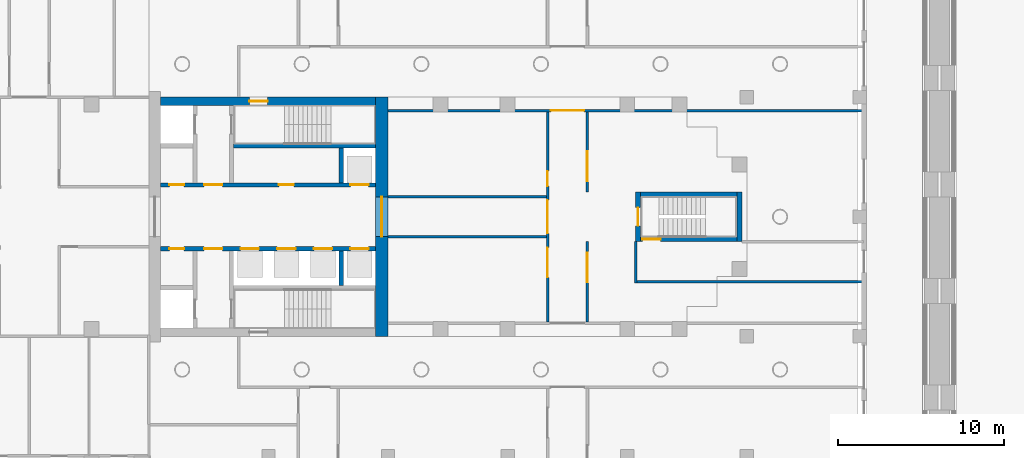
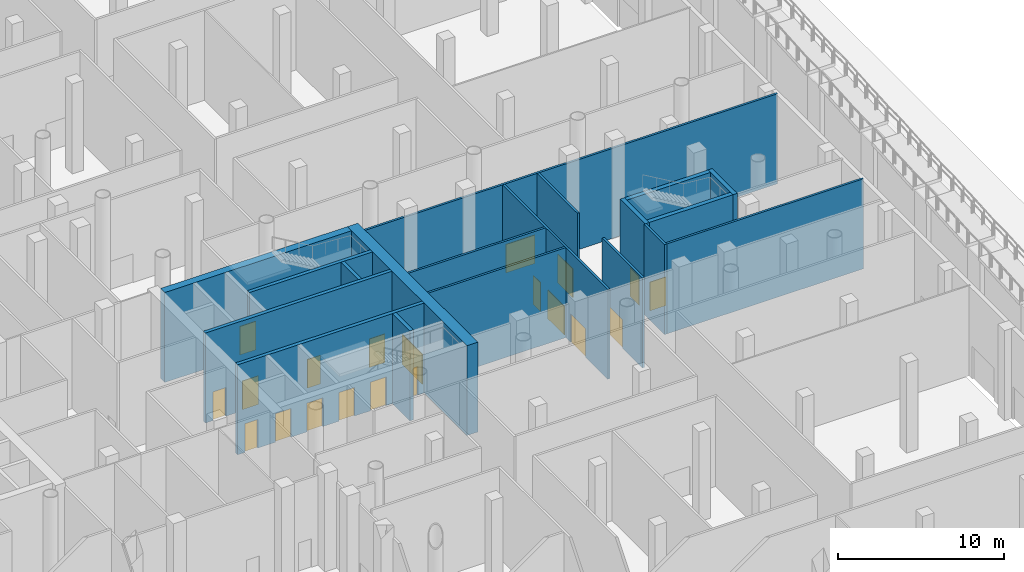
# One storey, part 27 of 44: 20 doors, 19 walls, 20 openings.
"""IFC4 building model written with IfcOpenShell, lengths in metres."""

import ifcopenshell
import ifcopenshell.guid

model = None  # the IFC model being written
_history = None  # IfcOwnerHistory: only IFC2X3 demands one
_inside = {}  # id of a spatial element -> (the spatial element, [elements in it])
_under = {}  # id of a project, library or spatial element -> (it, [spatial elements below it])
_declared = {}  # id of a project -> (the project, [libraries it declares])
_typed = {}  # id of a type object -> (the type object, [elements of that type])
_made_of = {}  # id of a material, layer set ... -> (it, [elements and type objects made of it])


def new_model(schema):
    """Start an empty IFC model of exactly this schema.

    Asked for "IFC4X3", IfcOpenShell would pick the latest addendum, in which some entities
    have other attributes; the version numbers below select the first issue.
    IFC2X3 requires an IfcOwnerHistory on every rooted entity: one is made here for all.
    """
    global model, _history
    if schema == "IFC4X3":
        model = ifcopenshell.file(schema_version=(4, 3, 0, 0))
    else:
        model = ifcopenshell.file(schema=schema)
    _inside.clear()
    _under.clear()
    _declared.clear()
    _typed.clear()
    _made_of.clear()
    _history = None
    if model.schema == "IFC2X3":
        org = make("IfcOrganization", Name="unknown")
        user = make(
            "IfcPersonAndOrganization",
            ThePerson=make("IfcPerson", FamilyName="unknown"),
            TheOrganization=org,
        )
        app = make(
            "IfcApplication",
            ApplicationDeveloper=org,
            Version="unknown",
            ApplicationFullName="unknown",
            ApplicationIdentifier="unknown",
        )
        _history = make(
            "IfcOwnerHistory",
            OwningUser=user,
            OwningApplication=app,
            ChangeAction="ADDED",
            CreationDate=0,
        )
    return model


def make(cls, **values):
    """One entity of the class cls with the attributes given. An attribute that is None is left unset."""
    return model.create_entity(
        cls, **{name: value for name, value in values.items() if value is not None}
    )


def rooted(cls, **values):
    """An entity with a GlobalId (a new one), such as an element, a storey or a relation."""
    return make(cls, GlobalId=ifcopenshell.guid.new(), OwnerHistory=_history, **values)


def si_unit(unit_type, name, prefix=None):
    """IfcSIUnit, for example si_unit("LENGTHUNIT", "METRE", prefix="MILLI")."""
    return make("IfcSIUnit", UnitType=unit_type, Prefix=prefix, Name=name)


def assignment(units):
    """IfcUnitAssignment: the units of a project."""
    return None if units is None else make("IfcUnitAssignment", Units=units)


def point(xyz):
    """IfcCartesianPoint."""
    return None if xyz is None else make("IfcCartesianPoint", Coordinates=xyz)


def direction(xyz):
    """IfcDirection."""
    return None if xyz is None else make("IfcDirection", DirectionRatios=xyz)


def frame(location, z_axis=None, x_axis=None):
    """IfcAxis2Placement3D, a coordinate frame: its origin and axes. An axis left out is left unset."""
    return make(
        "IfcAxis2Placement3D",
        Location=point(location),
        Axis=direction(z_axis),
        RefDirection=direction(x_axis),
    )


def frame_2d(location, x_axis=None):
    """IfcAxis2Placement2D, a coordinate frame in the plane: its origin and x axis."""
    return make(
        "IfcAxis2Placement2D", Location=point(location), RefDirection=direction(x_axis)
    )


def origin():
    """The frame at (0, 0, 0) with its axes left unset."""
    return frame((0.0, 0.0, 0.0))


def place(relative_to, where):
    """IfcLocalPlacement: puts the frame where relative to a parent placement (None: the world)."""
    return make(
        "IfcLocalPlacement", PlacementRelTo=relative_to, RelativePlacement=where
    )


def context(
    kind, dimensions, precision=None, world=None, true_north=None, identifier=None
):
    """IfcGeometricRepresentationContext, for example the 3D "Model" context."""
    return make(
        "IfcGeometricRepresentationContext",
        ContextIdentifier=identifier,
        ContextType=kind,
        CoordinateSpaceDimension=dimensions,
        Precision=precision,
        WorldCoordinateSystem=world,
        TrueNorth=true_north,
    )


def subcontext(parent, identifier, kind, view, scale=None):
    """IfcGeometricRepresentationSubContext, for example "Body" below "Model"."""
    return make(
        "IfcGeometricRepresentationSubContext",
        ContextIdentifier=identifier,
        ContextType=kind,
        ParentContext=parent,
        TargetScale=scale,
        TargetView=view,
    )


def project(units=None, contexts=None):
    """IfcProject with its units and contexts."""
    return rooted(
        "IfcProject",
        Name="project",
        RepresentationContexts=contexts,
        UnitsInContext=assignment(units),
    )


def spatial(cls, under=None, at=None, **own):
    """A site, building, storey or space (cls), placed at a placement, below another one or the project."""
    s = rooted(cls, ObjectPlacement=at, **own)
    if under is not None:
        _under.setdefault(under.id(), (under, []))[1].append(s)
    return s


def profile(cls, at=None, kind="AREA", **sizes):
    """A parametric profile (cls). Its sizes go by their IFC names, for example OverallWidth=200.0."""
    return make(cls, ProfileType=kind, Position=at, **sizes)


def rectangle(**sizes):
    """IfcRectangleProfileDef."""
    return profile("IfcRectangleProfileDef", **sizes)


def extrude(swept, where, along, depth):
    """IfcExtrudedAreaSolid: the profile swept, set in the frame where, extruded along a direction by depth."""
    return make(
        "IfcExtrudedAreaSolid",
        SweptArea=swept,
        Position=where,
        ExtrudedDirection=direction(along),
        Depth=depth,
    )


def shape(context_of_items, identifier, shape_type, items):
    """IfcShapeRepresentation: the items that make up one representation, for example the "Body"."""
    return make(
        "IfcShapeRepresentation",
        ContextOfItems=context_of_items,
        RepresentationIdentifier=identifier,
        RepresentationType=shape_type,
        Items=items,
    )


def material(Name=None, Category=None):
    """IfcMaterial."""
    return make("IfcMaterial", Name=Name, Category=Category)


def layer(
    of_material, thickness, ventilated=None, Name=None, Category=None, Priority=None
):
    """IfcMaterialLayer: one layer of a wall or slab, of a material (None: an air gap)."""
    return make(
        "IfcMaterialLayer",
        Material=of_material,
        LayerThickness=thickness,
        IsVentilated=ventilated,
        Name=Name,
        Category=Category,
        Priority=Priority,
    )


def layer_set(layers, Name=None):
    """IfcMaterialLayerSet."""
    return make("IfcMaterialLayerSet", MaterialLayers=layers, LayerSetName=Name)


def made_of(thing, what):
    """Note that an element or type object is made of a material, layer set ...; save() writes the relation."""
    if what is not None:
        _made_of.setdefault(what.id(), (what, []))[1].append(thing)
    return thing


def type_object(cls, material=None, **own):
    """A type object (cls), such as IfcWallType, which elements share."""
    return made_of(rooted(cls, **own), material)


def element(
    cls,
    number,
    at=None,
    inside=None,
    cuts=None,
    type_object=None,
    material=None,
    context=None,
    identifier="Body",
    shape_type=None,
    held_by="IfcProductDefinitionShape",
    body=None,
    shapes=None,
    **own,
):
    """One element of the class cls, such as IfcWall. Its Tag is "e" and its number.

    at: its placement. inside: the storey or other place that contains it. cuts: it is an
    opening in that element (IfcRelVoidsElement). A single representation is given by context,
    identifier, shape_type and body (its items); several are given by shapes. held_by: the class
    of the entity that holds the representations. save() writes the other relations.
    """
    e = rooted(cls, Tag="e%d" % number, ObjectPlacement=at, **own)
    if body is not None:
        shapes = [shape(context, identifier, shape_type, body)]
    if shapes is not None:
        e.Representation = make(held_by, Representations=shapes)
    if inside is not None:
        _inside.setdefault(inside.id(), (inside, []))[1].append(e)
    if cuts is not None:
        rooted(
            "IfcRelVoidsElement", RelatingBuildingElement=cuts, RelatedOpeningElement=e
        )
    if type_object is not None:
        _typed.setdefault(type_object.id(), (type_object, []))[1].append(e)
    return made_of(e, material)


def fill(opening, filler):
    """IfcRelFillsElement: the door or window that sits in an opening."""
    return rooted(
        "IfcRelFillsElement",
        RelatingOpeningElement=opening,
        RelatedBuildingElement=filler,
    )


def aggregate(whole, parts):
    """IfcRelAggregates: a whole, such as a stair, and the parts it consists of."""
    return rooted("IfcRelAggregates", RelatingObject=whole, RelatedObjects=parts)


def save(model, path):
    """Write the relations noted so far, then the file.

    IfcRelAggregates (storeys below a building ...), IfcRelContainedInSpatialStructure (elements
    in a storey), IfcRelDefinesByType, IfcRelAssociatesMaterial and IfcRelDeclares: one each for
    every whole, place, type object, material and project.
    """
    for whole, parts in _under.values():
        aggregate(whole, parts)
    for where, things in _inside.values():
        rooted(
            "IfcRelContainedInSpatialStructure",
            RelatedElements=things,
            RelatingStructure=where,
        )
    for kind, things in _typed.values():
        rooted("IfcRelDefinesByType", RelatedObjects=things, RelatingType=kind)
    for what, things in _made_of.values():
        rooted("IfcRelAssociatesMaterial", RelatedObjects=things, RelatingMaterial=what)
    for by, libraries in _declared.values():
        rooted("IfcRelDeclares", RelatingContext=by, RelatedDefinitions=libraries)
    model.write(path)


model = new_model("IFC4")

# Units and contexts
model_context = context("Model", 3, precision=1e-05, world=origin(), true_north=direction((0.0, 1.0)))
body_context = subcontext(model_context, "Body", "Model", "MODEL_VIEW")
ifc_project = project(units=[si_unit("LENGTHUNIT", "METRE"), si_unit("AREAUNIT", "SQUARE_METRE"), si_unit("VOLUMEUNIT", "CUBIC_METRE"), si_unit("PLANEANGLEUNIT", "RADIAN"), si_unit("MASSUNIT", "GRAM", prefix="KILO")], contexts=[model_context])

# Site, building, storey
site_placement = place(None, origin())
site = spatial("IfcSite", under=ifc_project, at=site_placement, CompositionType="ELEMENT")
building_placement = place(site_placement, origin())
building = spatial("IfcBuilding", under=site, at=building_placement, Name="Fustian Cross Tower", CompositionType="ELEMENT")
storey_placement = place(building_placement, origin())
storey = spatial("IfcBuildingStorey", under=building, at=storey_placement, Name="L00", CompositionType="ELEMENT", Elevation=0.0)

# Walls
ifc_material_1 = material(Name="Plasterboard on steel stud", Category="steel")
ifc_layer_1 = layer(ifc_material_1, 0.14990234375)
ifc_layer_set_1 = layer_set([ifc_layer_1], Name="Plasterboard on steel stud")
wall_type_1 = type_object("IfcWallType", Name="COMPARTMENT WALL 150 EI 60", PredefinedType="PARTITIONING", material=ifc_layer_set_1)
for number, where, z_axis, x_axis, name in (
    (1, (21.60009765625, -1.199951171875, 0.0), (0.0, 0.0, 1.0), (1.0, 0.0, 0.0), "Partition 128"),
    (2, (21.60009765625, 1.199951171875, 0.0), (0.0, 0.0, 1.0), (1.0, 0.0, 0.0), "Partition 129"),
):
    element("IfcWall", number, at=place(storey_placement, frame(where, z_axis=z_axis, x_axis=x_axis)), inside=storey, type_object=wall_type_1, Name=name, PredefinedType="PARTITIONING", context=body_context, shape_type="SweptSolid", body=[
        extrude(rectangle(XDim=9.52490234375, YDim=0.14990234375, at=frame_2d((4.762451171875, 0.0))), origin(), (0.0, 0.0, 1.0), 6.60009765625),
    ])

# Wall, opening, door
wall_1_placement = place(storey_placement, frame((21.60009765625, 6.39990234375, 0.0), z_axis=(0.0, 0.0, 1.0), x_axis=(1.0, 0.0, 0.0)))
wall_1 = element("IfcWall", 3, at=wall_1_placement, inside=storey, type_object=wall_type_1, Name="Partition 130", PredefinedType="PARTITIONING", context=body_context, shape_type="SweptSolid", body=[
    extrude(rectangle(XDim=28.619873046875, YDim=0.14990234375, at=frame_2d((14.31005859375, 0.0))), origin(), (0.0, 0.0, 1.0), 6.60009765625),
])
opening_1_placement = place(wall_1_placement, frame((9.800048828125, 0.0, 0.0)))
opening_1 = element("IfcOpeningElement", 4, at=opening_1_placement, cuts=wall_1, Name="Opening D02015", PredefinedType="OPENING", context=body_context, shape_type="SweptSolid", body=[
    extrude(rectangle(XDim=2.0, YDim=2.10009765625, at=frame_2d((1.0, 1.050048828125))), frame((0.0, 0.0849609375, 0.0), z_axis=(0.0, -1.0, 0.0), x_axis=(1.0, 0.0, 0.0)), (0.0, 0.0, 1.0), 0.169921875),
])
ifc_material_2 = material(Name="Timber fire door set", Category="wood")
door_type_1 = type_object("IfcDoorType", Name="FIRE DOUBLE DOOR 2000 FD30S", OperationType="DOUBLE_DOOR_DOUBLE_SWING", PredefinedType="DOOR", material=ifc_material_2)
door_1_placement = place(opening_1_placement, frame((2.0, 0.0, 0.0), z_axis=(0.0, 0.0, 1.0), x_axis=(-1.0, 0.0, 0.0)))
door_1 = element("IfcDoor", 5, at=door_1_placement, inside=storey, type_object=door_type_1, Name="Door D02015", OperationType="DOUBLE_DOOR_DOUBLE_SWING", OverallHeight=2.10009765625, OverallWidth=2.0, PredefinedType="DOOR", context=body_context, shape_type="SweptSolid", body=[
    extrude(rectangle(XDim=2.0, YDim=2.10009765625, at=frame_2d((1.0, 1.050048828125))), frame((0.0, 0.02490234375, 0.0), z_axis=(0.0, -1.0, 0.0), x_axis=(1.0, 0.0, 0.0)), (0.0, 0.0, 1.0), 0.050048828125),
])
fill(opening_1, door_1)

# Wall, openings, doors
wall_2_placement = place(storey_placement, frame((31.199951171875, -6.324951171875, 0.0), z_axis=(0.0, 0.0, 1.0), x_axis=(0.0, 1.0, 0.0)))
wall_2 = element("IfcWall", 6, at=wall_2_placement, inside=storey, type_object=wall_type_1, Name="Partition 136", PredefinedType="PARTITIONING", context=body_context, shape_type="SweptSolid", body=[
    extrude(rectangle(XDim=12.64990234375, YDim=0.14990234375, at=frame_2d((6.324951171875, 0.0))), origin(), (0.0, 0.0, 1.0), 6.60009765625),
])
opening_2_placement = place(wall_2_placement, frame((5.324951171875, 0.0, 0.0)))
opening_2 = element("IfcOpeningElement", 7, at=opening_2_placement, cuts=wall_2, Name="Opening D02033", PredefinedType="OPENING", context=body_context, shape_type="SweptSolid", body=[
    extrude(rectangle(XDim=2.0, YDim=2.10009765625, at=frame_2d((1.0, 1.050048828125))), frame((0.0, 0.0849609375, 0.0), z_axis=(0.0, -1.0, 0.0), x_axis=(1.0, 0.0, 0.0)), (0.0, 0.0, 1.0), 0.169921875),
])
opening_3_placement = place(wall_2_placement, frame((8.175048828125, 0.0, 0.0)))
opening_3 = element("IfcOpeningElement", 8, at=opening_3_placement, cuts=wall_2, Name="Opening D02039", PredefinedType="OPENING", context=body_context, shape_type="SweptSolid", body=[
    extrude(rectangle(XDim=0.89990234375, YDim=2.10009765625, at=frame_2d((0.449951171875, 1.050048828125))), frame((0.0, 0.0849609375, 0.0), z_axis=(0.0, -1.0, 0.0), x_axis=(1.0, 0.0, 0.0)), (0.0, 0.0, 1.0), 0.169921875),
])
opening_4_placement = place(wall_2_placement, frame((2.675048828125, 0.0, 0.0)))
opening_4 = element("IfcOpeningElement", 9, at=opening_4_placement, cuts=wall_2, Name="Opening D02121", PredefinedType="OPENING", context=body_context, shape_type="SweptSolid", body=[
    extrude(rectangle(XDim=1.800048828125, YDim=2.10009765625, at=frame_2d((0.89990234375, 1.050048828125))), frame((0.0, 0.0849609375, 0.0), z_axis=(0.0, -1.0, 0.0), x_axis=(1.0, 0.0, 0.0)), (0.0, 0.0, 1.0), 0.169921875),
])
ifc_material_3 = material(Name="Timber fire door set", Category="wood")
door_type_2 = type_object("IfcDoorType", Name="FIRE DOUBLE DOOR 1800 FD30S", OperationType="DOUBLE_DOOR_DOUBLE_SWING", PredefinedType="DOOR", material=ifc_material_3)
door_2_placement = place(opening_4_placement, frame((1.800048828125, 0.0, 0.0), z_axis=(0.0, 0.0, 1.0), x_axis=(-1.0, 0.0, 0.0)))
door_2 = element("IfcDoor", 10, at=door_2_placement, inside=storey, type_object=door_type_2, Name="Door D02121", OperationType="DOUBLE_DOOR_DOUBLE_SWING", OverallHeight=2.10009765625, OverallWidth=1.800048828125, PredefinedType="DOOR", context=body_context, shape_type="SweptSolid", body=[
    extrude(rectangle(XDim=1.800048828125, YDim=2.10009765625, at=frame_2d((0.89990234375, 1.050048828125))), frame((0.0, 0.02490234375, 0.0), z_axis=(0.0, -1.0, 0.0), x_axis=(1.0, 0.0, 0.0)), (0.0, 0.0, 1.0), 0.050048828125),
])
fill(opening_4, door_2)
door_3_placement = place(opening_2_placement, frame((2.0, 0.0, 0.0), z_axis=(0.0, 0.0, 1.0), x_axis=(-1.0, 0.0, 0.0)))
door_3 = element("IfcDoor", 11, at=door_3_placement, inside=storey, type_object=door_type_1, Name="Door D02033", OperationType="DOUBLE_DOOR_DOUBLE_SWING", OverallHeight=2.10009765625, OverallWidth=2.0, PredefinedType="DOOR", context=body_context, shape_type="SweptSolid", body=[
    extrude(rectangle(XDim=2.0, YDim=2.10009765625, at=frame_2d((1.0, 1.050048828125))), frame((0.0, 0.02490234375, 0.0), z_axis=(0.0, -1.0, 0.0), x_axis=(1.0, 0.0, 0.0)), (0.0, 0.0, 1.0), 0.050048828125),
])
fill(opening_2, door_3)
ifc_material_4 = material(Name="Timber fire door set", Category="wood")
door_type_3 = type_object("IfcDoorType", Name="FIRE SWING DOOR 900 FD30S", OperationType="SINGLE_SWING_LEFT", PredefinedType="DOOR", material=ifc_material_4)
door_4_placement = place(opening_3_placement, origin())
door_4 = element("IfcDoor", 12, at=door_4_placement, inside=storey, type_object=door_type_3, Name="Door D02039", OperationType="SINGLE_SWING_LEFT", OverallHeight=2.10009765625, OverallWidth=0.89990234375, PredefinedType="DOOR", context=body_context, shape_type="SweptSolid", body=[
    extrude(rectangle(XDim=0.89990234375, YDim=2.10009765625, at=frame_2d((0.449951171875, 1.050048828125))), frame((0.0, 0.02490234375, 0.0), z_axis=(0.0, -1.0, 0.0), x_axis=(1.0, 0.0, 0.0)), (0.0, 0.0, 1.0), 0.050048828125),
])
fill(opening_3, door_4)

# Wall, opening, door
wall_3_placement = place(storey_placement, frame((33.60009765625, -6.324951171875, 0.0), z_axis=(0.0, 0.0, 1.0), x_axis=(0.0, 1.0, 0.0)))
wall_3 = element("IfcWall", 13, at=wall_3_placement, inside=storey, type_object=wall_type_1, Name="Partition 143", PredefinedType="PARTITIONING", context=body_context, shape_type="SweptSolid", body=[
    extrude(rectangle(XDim=4.824951171875, YDim=0.14990234375, at=frame_2d((2.41259765625, 0.0))), origin(), (0.0, 0.0, 1.0), 6.60009765625),
])
opening_5_placement = place(wall_3_placement, frame((2.375, 0.0, 0.0)))
opening_5 = element("IfcOpeningElement", 14, at=opening_5_placement, cuts=wall_3, Name="Opening D02017", PredefinedType="OPENING", context=body_context, shape_type="SweptSolid", body=[
    extrude(rectangle(XDim=1.800048828125, YDim=2.10009765625, at=frame_2d((0.89990234375, 1.050048828125))), frame((0.0, 0.0849609375, 0.0), z_axis=(0.0, -1.0, 0.0), x_axis=(1.0, 0.0, 0.0)), (0.0, 0.0, 1.0), 0.169921875),
])
door_5_placement = place(opening_5_placement, origin())
door_5 = element("IfcDoor", 15, at=door_5_placement, inside=storey, type_object=door_type_2, Name="Door D02017", OperationType="DOUBLE_DOOR_DOUBLE_SWING", OverallHeight=2.10009765625, OverallWidth=1.800048828125, PredefinedType="DOOR", context=body_context, shape_type="SweptSolid", body=[
    extrude(rectangle(XDim=1.800048828125, YDim=2.10009765625, at=frame_2d((0.89990234375, 1.050048828125))), frame((0.0, 0.02490234375, 0.0), z_axis=(0.0, -1.0, 0.0), x_axis=(1.0, 0.0, 0.0)), (0.0, 0.0, 1.0), 0.050048828125),
])
fill(opening_5, door_5)

wall_4_placement = place(storey_placement, frame((33.60009765625, 1.5, 0.0), z_axis=(0.0, 0.0, 1.0), x_axis=(0.0, 1.0, 0.0)))
wall_4 = element("IfcWall", 16, at=wall_4_placement, inside=storey, type_object=wall_type_1, Name="Partition 144", PredefinedType="PARTITIONING", context=body_context, shape_type="SweptSolid", body=[
    extrude(rectangle(XDim=4.824951171875, YDim=0.14990234375, at=frame_2d((2.41259765625, 0.0))), origin(), (0.0, 0.0, 1.0), 6.60009765625),
])
opening_6_placement = place(wall_4_placement, frame((0.64990234375, 0.0, 0.0)))
opening_6 = element("IfcOpeningElement", 17, at=opening_6_placement, cuts=wall_4, Name="Opening D02013", PredefinedType="OPENING", context=body_context, shape_type="SweptSolid", body=[
    extrude(rectangle(XDim=1.800048828125, YDim=2.10009765625, at=frame_2d((0.89990234375, 1.050048828125))), frame((0.0, 0.0849609375, 0.0), z_axis=(0.0, -1.0, 0.0), x_axis=(1.0, 0.0, 0.0)), (0.0, 0.0, 1.0), 0.169921875),
])
door_6_placement = place(opening_6_placement, origin())
door_6 = element("IfcDoor", 18, at=door_6_placement, inside=storey, type_object=door_type_2, Name="Door D02013", OperationType="DOUBLE_DOOR_DOUBLE_SWING", OverallHeight=2.10009765625, OverallWidth=1.800048828125, PredefinedType="DOOR", context=body_context, shape_type="SweptSolid", body=[
    extrude(rectangle(XDim=1.800048828125, YDim=2.10009765625, at=frame_2d((0.89990234375, 1.050048828125))), frame((0.0, 0.02490234375, 0.0), z_axis=(0.0, -1.0, 0.0), x_axis=(1.0, 0.0, 0.0)), (0.0, 0.0, 1.0), 0.050048828125),
])
fill(opening_6, door_6)

# Walls
wall_5_placement = place(storey_placement, frame((36.5, -3.97509765625, 0.0), z_axis=(0.0, 0.0, 1.0), x_axis=(0.0, 1.0, 0.0)))
element("IfcWall", 19, at=wall_5_placement, inside=storey, type_object=wall_type_1, Name="Partition 148", PredefinedType="PARTITIONING", context=body_context, shape_type="SweptSolid", body=[
    extrude(rectangle(XDim=2.47509765625, YDim=0.14990234375, at=frame_2d((1.237548828125, 0.0))), origin(), (0.0, 0.0, 1.0), 6.60009765625),
])
wall_6_placement = place(storey_placement, frame((36.574951171875, -3.89990234375, 0.0), z_axis=(0.0, 0.0, 1.0), x_axis=(1.0, 0.0, 0.0)))
element("IfcWall", 20, at=wall_6_placement, inside=storey, type_object=wall_type_1, Name="Partition 149", PredefinedType="PARTITIONING", context=body_context, shape_type="SweptSolid", body=[
    extrude(rectangle(XDim=13.64501953125, YDim=0.14990234375, at=frame_2d((6.822509765625, 0.0))), origin(), (0.0, 0.0, 1.0), 6.60009765625),
])

# Wall, opening, door
ifc_material_5 = material(Name="Concrete C80/95", Category="concrete")
ifc_layer_2 = layer(ifc_material_5, 0.5)
ifc_layer_set_2 = layer_set([ifc_layer_2], Name="Concrete C80/95")
wall_type_2 = type_object("IfcWallType", Name="CORE BASE WALL 500 C80/95", PredefinedType="SHEAR", material=ifc_layer_set_2)
wall_7_placement = place(storey_placement, frame((7.89990234375, 6.949951171875, 0.0), z_axis=(0.0, 0.0, 1.0), x_axis=(1.0, 0.0, 0.0)))
wall_7 = element("IfcWall", 21, at=wall_7_placement, inside=storey, type_object=wall_type_2, Name="Core facade wall", PredefinedType="SHEAR", context=body_context, shape_type="SweptSolid", body=[
    extrude(rectangle(XDim=12.9501953125, YDim=0.5, at=frame_2d((6.47509765625, 0.0))), origin(), (0.0, 0.0, 1.0), 6.60009765625),
])
opening_7_placement = place(wall_7_placement, frame((5.35009765625, 0.0, 0.0)))
opening_7 = element("IfcOpeningElement", 22, at=opening_7_placement, cuts=wall_7, Name="Opening CD-02-37", PredefinedType="OPENING", context=body_context, shape_type="SweptSolid", body=[
    extrude(rectangle(XDim=1.10009765625, YDim=2.10009765625, at=frame_2d((0.550048828125, 1.050048828125))), frame((0.0, 0.260009765625, 0.0), z_axis=(0.0, -1.0, 0.0), x_axis=(1.0, 0.0, 0.0)), (0.0, 0.0, 1.0), 0.52001953125),
])
ifc_material_6 = material(Name="Steel", Category="steel")
door_type_4 = type_object("IfcDoorType", Name="FIRE DOOR FD60S 1100X2100", OperationType="SINGLE_SWING_LEFT", PredefinedType="DOOR", material=ifc_material_6)
door_7_placement = place(opening_7_placement, origin())
door_7 = element("IfcDoor", 23, at=door_7_placement, inside=storey, type_object=door_type_4, Name="Core door CD-02-37", OperationType="SINGLE_SWING_LEFT", OverallHeight=2.10009765625, OverallWidth=1.10009765625, PredefinedType="DOOR", context=body_context, shape_type="SweptSolid", body=[
    extrude(rectangle(XDim=1.10009765625, YDim=2.10009765625, at=frame_2d((0.550048828125, 1.050048828125))), frame((0.0, 0.02490234375, 0.0), z_axis=(0.0, -1.0, 0.0), x_axis=(1.0, 0.0, 0.0)), (0.0, 0.0, 1.0), 0.050048828125),
])
fill(opening_7, door_7)

ifc_material_7 = material(Name="Concrete C80/95", Category="concrete")
ifc_layer_3 = layer(ifc_material_7, 0.75)
ifc_layer_set_3 = layer_set([ifc_layer_3], Name="Concrete C80/95")
wall_type_3 = type_object("IfcWallType", Name="CORE END WALL 750 C80/95", PredefinedType="SHEAR", material=ifc_layer_set_3)
wall_8_placement = place(storey_placement, frame((21.22509765625, -7.199951171875, 0.0), z_axis=(0.0, 0.0, 1.0), x_axis=(0.0, 1.0, 0.0)))
wall_8 = element("IfcWall", 24, at=wall_8_placement, inside=storey, type_object=wall_type_3, Name="Core end wall", PredefinedType="SHEAR", context=body_context, shape_type="SweptSolid", body=[
    extrude(rectangle(XDim=14.39990234375, YDim=0.75, at=frame_2d((7.199951171875, 0.0))), origin(), (0.0, 0.0, 1.0), 6.60009765625),
])
opening_8_placement = place(wall_8_placement, frame((6.0, 0.0, 0.0)))
opening_8 = element("IfcOpeningElement", 25, at=opening_8_placement, cuts=wall_8, Name="Opening CD-02-15", PredefinedType="OPENING", context=body_context, shape_type="SweptSolid", body=[
    extrude(rectangle(XDim=2.39990234375, YDim=2.199951171875, at=frame_2d((1.199951171875, 1.10009765625))), frame((0.0, 0.385009765625, 0.0), z_axis=(0.0, -1.0, 0.0), x_axis=(1.0, 0.0, 0.0)), (0.0, 0.0, 1.0), 0.77001953125),
])
ifc_material_8 = material(Name="Steel", Category="steel")
door_type_5 = type_object("IfcDoorType", Name="FIRE DOOR FD30S DOUBLE 2400X2200", OperationType="DOUBLE_DOOR_DOUBLE_SWING", PredefinedType="DOOR", material=ifc_material_8)
door_8_placement = place(opening_8_placement, origin())
door_8 = element("IfcDoor", 26, at=door_8_placement, inside=storey, type_object=door_type_5, Name="Core door CD-02-15", OperationType="DOUBLE_DOOR_DOUBLE_SWING", OverallHeight=2.199951171875, OverallWidth=2.39990234375, PredefinedType="DOOR", context=body_context, shape_type="SweptSolid", body=[
    extrude(rectangle(XDim=2.39990234375, YDim=2.199951171875, at=frame_2d((1.199951171875, 1.10009765625))), frame((0.0, 0.02490234375, 0.0), z_axis=(0.0, -1.0, 0.0), x_axis=(1.0, 0.0, 0.0)), (0.0, 0.0, 1.0), 0.050048828125),
])
fill(opening_8, door_8)

# Wall, openings, doors
ifc_material_9 = material(Name="Concrete C50/60", Category="concrete")
ifc_layer_4 = layer(ifc_material_9, 0.25)
ifc_layer_set_4 = layer_set([ifc_layer_4], Name="Concrete C50/60")
wall_type_4 = type_object("IfcWallType", Name="CORE LOBBY WALL 250 C50/60", PredefinedType="SHEAR", material=ifc_layer_set_4)
wall_9_placement = place(storey_placement, frame((7.89990234375, 1.925048828125, 0.0), z_axis=(0.0, 0.0, 1.0), x_axis=(1.0, 0.0, 0.0)))
wall_9 = element("IfcWall", 27, at=wall_9_placement, inside=storey, type_object=wall_type_4, Name="Core lobby wall", PredefinedType="SHEAR", context=body_context, shape_type="SweptSolid", body=[
    extrude(rectangle(XDim=12.9501953125, YDim=0.25, at=frame_2d((6.47509765625, 0.0))), origin(), (0.0, 0.0, 1.0), 6.60009765625),
])
opening_9_placement = place(wall_9_placement, frame((11.425048828125, 0.0, 0.0)))
opening_9 = element("IfcOpeningElement", 28, at=opening_9_placement, cuts=wall_9, Name="Opening LD", PredefinedType="OPENING", context=body_context, shape_type="SweptSolid", body=[
    extrude(rectangle(XDim=1.10009765625, YDim=2.10009765625, at=frame_2d((0.550048828125, 1.050048828125))), frame((0.0, 0.135009765625, 0.0), z_axis=(0.0, -1.0, 0.0), x_axis=(1.0, 0.0, 0.0)), (0.0, 0.0, 1.0), 0.27001953125),
])
opening_10_placement = place(wall_9_placement, frame((0.52490234375, 0.0, 0.0)))
opening_10 = element("IfcOpeningElement", 29, at=opening_10_placement, cuts=wall_9, Name="Opening CD-02-10", PredefinedType="OPENING", context=body_context, shape_type="SweptSolid", body=[
    extrude(rectangle(XDim=0.89990234375, YDim=2.10009765625, at=frame_2d((0.449951171875, 1.050048828125))), frame((0.0, 0.135009765625, 0.0), z_axis=(0.0, -1.0, 0.0), x_axis=(1.0, 0.0, 0.0)), (0.0, 0.0, 1.0), 0.27001953125),
])
opening_11_placement = place(wall_9_placement, frame((2.625, 0.0, 0.0)))
opening_11 = element("IfcOpeningElement", 30, at=opening_11_placement, cuts=wall_9, Name="Opening CD-02-12", PredefinedType="OPENING", context=body_context, shape_type="SweptSolid", body=[
    extrude(rectangle(XDim=1.10009765625, YDim=2.10009765625, at=frame_2d((0.550048828125, 1.050048828125))), frame((0.0, 0.135009765625, 0.0), z_axis=(0.0, -1.0, 0.0), x_axis=(1.0, 0.0, 0.0)), (0.0, 0.0, 1.0), 0.27001953125),
])
opening_12_placement = place(wall_9_placement, frame((7.125, 0.0, 0.0)))
opening_12 = element("IfcOpeningElement", 31, at=opening_12_placement, cuts=wall_9, Name="Opening CD-02-16", PredefinedType="OPENING", context=body_context, shape_type="SweptSolid", body=[
    extrude(rectangle(XDim=0.89990234375, YDim=2.10009765625, at=frame_2d((0.449951171875, 1.050048828125))), frame((0.0, 0.135009765625, 0.0), z_axis=(0.0, -1.0, 0.0), x_axis=(1.0, 0.0, 0.0)), (0.0, 0.0, 1.0), 0.27001953125),
])
ifc_material_10 = material(Name="Steel", Category="steel")
door_type_6 = type_object("IfcDoorType", Name="FIRE DOOR FD30S 900X2100", OperationType="SINGLE_SWING_LEFT", PredefinedType="DOOR", material=ifc_material_10)
door_9_placement = place(opening_12_placement, origin())
door_9 = element("IfcDoor", 32, at=door_9_placement, inside=storey, type_object=door_type_6, Name="Core door CD-02-16", OperationType="SINGLE_SWING_LEFT", OverallHeight=2.10009765625, OverallWidth=0.89990234375, PredefinedType="DOOR", context=body_context, shape_type="SweptSolid", body=[
    extrude(rectangle(XDim=0.89990234375, YDim=2.10009765625, at=frame_2d((0.449951171875, 1.050048828125))), frame((0.0, 0.02490234375, 0.0), z_axis=(0.0, -1.0, 0.0), x_axis=(1.0, 0.0, 0.0)), (0.0, 0.0, 1.0), 0.050048828125),
])
fill(opening_12, door_9)
door_10_placement = place(opening_11_placement, frame((1.10009765625, 0.0, 0.0), z_axis=(0.0, 0.0, 1.0), x_axis=(-1.0, 0.0, 0.0)))
door_10 = element("IfcDoor", 33, at=door_10_placement, inside=storey, type_object=door_type_4, Name="Core door CD-02-12", OperationType="SINGLE_SWING_RIGHT", OverallHeight=2.10009765625, OverallWidth=1.10009765625, PredefinedType="DOOR", context=body_context, shape_type="SweptSolid", body=[
    extrude(rectangle(XDim=1.10009765625, YDim=2.10009765625, at=frame_2d((0.550048828125, 1.050048828125))), frame((0.0, 0.02490234375, 0.0), z_axis=(0.0, -1.0, 0.0), x_axis=(1.0, 0.0, 0.0)), (0.0, 0.0, 1.0), 0.050048828125),
])
fill(opening_11, door_10)
ifc_material_11 = material(Name="Steel", Category="steel")
door_type_7 = type_object("IfcDoorType", Name="FIRE DOOR FD60S 900X2100", OperationType="SINGLE_SWING_LEFT", PredefinedType="DOOR", material=ifc_material_11)
door_11_placement = place(opening_10_placement, origin())
door_11 = element("IfcDoor", 34, at=door_11_placement, inside=storey, type_object=door_type_7, Name="Core door CD-02-10", OperationType="SINGLE_SWING_LEFT", OverallHeight=2.10009765625, OverallWidth=0.89990234375, PredefinedType="DOOR", context=body_context, shape_type="SweptSolid", body=[
    extrude(rectangle(XDim=0.89990234375, YDim=2.10009765625, at=frame_2d((0.449951171875, 1.050048828125))), frame((0.0, 0.02490234375, 0.0), z_axis=(0.0, -1.0, 0.0), x_axis=(1.0, 0.0, 0.0)), (0.0, 0.0, 1.0), 0.050048828125),
])
fill(opening_10, door_11)
ifc_material_12 = material(Name="Stainless steel", Category="steel")
door_type_8 = type_object("IfcDoorType", Name="LIFT LANDING DOOR 1100X2100", OperationType="SLIDING_TO_LEFT", PredefinedType="DOOR", material=ifc_material_12)
door_12_placement = place(opening_9_placement, origin())
door_12 = element("IfcDoor", 35, at=door_12_placement, inside=storey, type_object=door_type_8, Name="Landing door SH2", OperationType="SLIDING_TO_LEFT", OverallHeight=2.10009765625, OverallWidth=1.10009765625, PredefinedType="DOOR", context=body_context, shape_type="SweptSolid", body=[
    extrude(rectangle(XDim=1.10009765625, YDim=2.10009765625, at=frame_2d((0.550048828125, 1.050048828125))), frame((0.0, 0.02490234375, 0.0), z_axis=(0.0, -1.0, 0.0), x_axis=(1.0, 0.0, 0.0)), (0.0, 0.0, 1.0), 0.050048828125),
])
fill(opening_9, door_12)

wall_10_placement = place(storey_placement, frame((7.89990234375, -1.925048828125, 0.0), z_axis=(0.0, 0.0, 1.0), x_axis=(1.0, 0.0, 0.0)))
wall_10 = element("IfcWall", 36, at=wall_10_placement, inside=storey, type_object=wall_type_4, Name="Core lobby wall", PredefinedType="SHEAR", context=body_context, shape_type="SweptSolid", body=[
    extrude(rectangle(XDim=12.9501953125, YDim=0.25, at=frame_2d((6.47509765625, 0.0))), origin(), (0.0, 0.0, 1.0), 6.60009765625),
])
opening_13_placement = place(wall_10_placement, frame((4.824951171875, 0.0, 0.0)))
opening_13 = element("IfcOpeningElement", 37, at=opening_13_placement, cuts=wall_10, Name="Opening LD", PredefinedType="OPENING", context=body_context, shape_type="SweptSolid", body=[
    extrude(rectangle(XDim=1.10009765625, YDim=2.10009765625, at=frame_2d((0.550048828125, 1.050048828125))), frame((0.0, 0.135009765625, 0.0), z_axis=(0.0, -1.0, 0.0), x_axis=(1.0, 0.0, 0.0)), (0.0, 0.0, 1.0), 0.27001953125),
])
opening_14_placement = place(wall_10_placement, frame((7.02490234375, 0.0, 0.0)))
opening_14 = element("IfcOpeningElement", 38, at=opening_14_placement, cuts=wall_10, Name="Opening LD", PredefinedType="OPENING", context=body_context, shape_type="SweptSolid", body=[
    extrude(rectangle(XDim=1.10009765625, YDim=2.10009765625, at=frame_2d((0.550048828125, 1.050048828125))), frame((0.0, 0.135009765625, 0.0), z_axis=(0.0, -1.0, 0.0), x_axis=(1.0, 0.0, 0.0)), (0.0, 0.0, 1.0), 0.27001953125),
])
opening_15_placement = place(wall_10_placement, frame((9.22509765625, 0.0, 0.0)))
opening_15 = element("IfcOpeningElement", 39, at=opening_15_placement, cuts=wall_10, Name="Opening LD", PredefinedType="OPENING", context=body_context, shape_type="SweptSolid", body=[
    extrude(rectangle(XDim=1.10009765625, YDim=2.10009765625, at=frame_2d((0.550048828125, 1.050048828125))), frame((0.0, 0.135009765625, 0.0), z_axis=(0.0, -1.0, 0.0), x_axis=(1.0, 0.0, 0.0)), (0.0, 0.0, 1.0), 0.27001953125),
])
opening_16_placement = place(wall_10_placement, frame((11.425048828125, 0.0, 0.0)))
opening_16 = element("IfcOpeningElement", 40, at=opening_16_placement, cuts=wall_10, Name="Opening LD", PredefinedType="OPENING", context=body_context, shape_type="SweptSolid", body=[
    extrude(rectangle(XDim=1.10009765625, YDim=2.10009765625, at=frame_2d((0.550048828125, 1.050048828125))), frame((0.0, 0.135009765625, 0.0), z_axis=(0.0, -1.0, 0.0), x_axis=(1.0, 0.0, 0.0)), (0.0, 0.0, 1.0), 0.27001953125),
])
opening_17_placement = place(wall_10_placement, frame((0.52490234375, 0.0, 0.0)))
opening_17 = element("IfcOpeningElement", 41, at=opening_17_placement, cuts=wall_10, Name="Opening CD-02-11", PredefinedType="OPENING", context=body_context, shape_type="SweptSolid", body=[
    extrude(rectangle(XDim=0.89990234375, YDim=2.10009765625, at=frame_2d((0.449951171875, 1.050048828125))), frame((0.0, 0.135009765625, 0.0), z_axis=(0.0, -1.0, 0.0), x_axis=(1.0, 0.0, 0.0)), (0.0, 0.0, 1.0), 0.27001953125),
])
opening_18_placement = place(wall_10_placement, frame((2.625, 0.0, 0.0)))
opening_18 = element("IfcOpeningElement", 42, at=opening_18_placement, cuts=wall_10, Name="Opening CD-02-13", PredefinedType="OPENING", context=body_context, shape_type="SweptSolid", body=[
    extrude(rectangle(XDim=1.10009765625, YDim=2.10009765625, at=frame_2d((0.550048828125, 1.050048828125))), frame((0.0, 0.135009765625, 0.0), z_axis=(0.0, -1.0, 0.0), x_axis=(1.0, 0.0, 0.0)), (0.0, 0.0, 1.0), 0.27001953125),
])
ifc_material_13 = material(Name="Steel", Category="steel")
door_type_9 = type_object("IfcDoorType", Name="FIRE DOOR FD30S 1100X2100", OperationType="SINGLE_SWING_LEFT", PredefinedType="DOOR", material=ifc_material_13)
door_13_placement = place(opening_18_placement, frame((1.10009765625, 0.0, 0.0), z_axis=(0.0, 0.0, 1.0), x_axis=(-1.0, 0.0, 0.0)))
door_13 = element("IfcDoor", 43, at=door_13_placement, inside=storey, type_object=door_type_9, Name="Core door CD-02-13", OperationType="SINGLE_SWING_RIGHT", OverallHeight=2.10009765625, OverallWidth=1.10009765625, PredefinedType="DOOR", context=body_context, shape_type="SweptSolid", body=[
    extrude(rectangle(XDim=1.10009765625, YDim=2.10009765625, at=frame_2d((0.550048828125, 1.050048828125))), frame((0.0, 0.02490234375, 0.0), z_axis=(0.0, -1.0, 0.0), x_axis=(1.0, 0.0, 0.0)), (0.0, 0.0, 1.0), 0.050048828125),
])
fill(opening_18, door_13)
door_14_placement = place(opening_17_placement, frame((0.89990234375, 0.0, 0.0), z_axis=(0.0, 0.0, 1.0), x_axis=(-1.0, 0.0, 0.0)))
door_14 = element("IfcDoor", 44, at=door_14_placement, inside=storey, type_object=door_type_6, Name="Core door CD-02-11", OperationType="SINGLE_SWING_RIGHT", OverallHeight=2.10009765625, OverallWidth=0.89990234375, PredefinedType="DOOR", context=body_context, shape_type="SweptSolid", body=[
    extrude(rectangle(XDim=0.89990234375, YDim=2.10009765625, at=frame_2d((0.449951171875, 1.050048828125))), frame((0.0, 0.02490234375, 0.0), z_axis=(0.0, -1.0, 0.0), x_axis=(1.0, 0.0, 0.0)), (0.0, 0.0, 1.0), 0.050048828125),
])
fill(opening_17, door_14)
door_15_placement = place(opening_13_placement, origin())
door_15 = element("IfcDoor", 45, at=door_15_placement, inside=storey, type_object=door_type_8, Name="Landing door LR1", OperationType="SLIDING_TO_LEFT", OverallHeight=2.10009765625, OverallWidth=1.10009765625, PredefinedType="DOOR", context=body_context, shape_type="SweptSolid", body=[
    extrude(rectangle(XDim=1.10009765625, YDim=2.10009765625, at=frame_2d((0.550048828125, 1.050048828125))), frame((0.0, 0.02490234375, 0.0), z_axis=(0.0, -1.0, 0.0), x_axis=(1.0, 0.0, 0.0)), (0.0, 0.0, 1.0), 0.050048828125),
])
fill(opening_13, door_15)
door_16_placement = place(opening_14_placement, origin())
door_16 = element("IfcDoor", 46, at=door_16_placement, inside=storey, type_object=door_type_8, Name="Landing door LR2", OperationType="SLIDING_TO_LEFT", OverallHeight=2.10009765625, OverallWidth=1.10009765625, PredefinedType="DOOR", context=body_context, shape_type="SweptSolid", body=[
    extrude(rectangle(XDim=1.10009765625, YDim=2.10009765625, at=frame_2d((0.550048828125, 1.050048828125))), frame((0.0, 0.02490234375, 0.0), z_axis=(0.0, -1.0, 0.0), x_axis=(1.0, 0.0, 0.0)), (0.0, 0.0, 1.0), 0.050048828125),
])
fill(opening_14, door_16)
door_17_placement = place(opening_15_placement, origin())
door_17 = element("IfcDoor", 47, at=door_17_placement, inside=storey, type_object=door_type_8, Name="Landing door LR3", OperationType="SLIDING_TO_LEFT", OverallHeight=2.10009765625, OverallWidth=1.10009765625, PredefinedType="DOOR", context=body_context, shape_type="SweptSolid", body=[
    extrude(rectangle(XDim=1.10009765625, YDim=2.10009765625, at=frame_2d((0.550048828125, 1.050048828125))), frame((0.0, 0.02490234375, 0.0), z_axis=(0.0, -1.0, 0.0), x_axis=(1.0, 0.0, 0.0)), (0.0, 0.0, 1.0), 0.050048828125),
])
fill(opening_15, door_17)
door_18_placement = place(opening_16_placement, origin())
door_18 = element("IfcDoor", 48, at=door_18_placement, inside=storey, type_object=door_type_8, Name="Landing door SH1", OperationType="SLIDING_TO_LEFT", OverallHeight=2.10009765625, OverallWidth=1.10009765625, PredefinedType="DOOR", context=body_context, shape_type="SweptSolid", body=[
    extrude(rectangle(XDim=1.10009765625, YDim=2.10009765625, at=frame_2d((0.550048828125, 1.050048828125))), frame((0.0, 0.02490234375, 0.0), z_axis=(0.0, -1.0, 0.0), x_axis=(1.0, 0.0, 0.0)), (0.0, 0.0, 1.0), 0.050048828125),
])
fill(opening_16, door_18)

# Walls
ifc_material_14 = material(Name="Concrete C50/60", Category="concrete")
ifc_layer_5 = layer(ifc_material_14, 0.25)
ifc_layer_set_5 = layer_set([ifc_layer_5], Name="Concrete C50/60")
wall_type_5 = type_object("IfcWallType", Name="CORE SHAFT WALL 250 C50/60", PredefinedType="SHEAR", material=ifc_layer_set_5)
wall_11_placement = place(storey_placement, frame((12.300048828125, 4.27490234375, 0.0), z_axis=(0.0, 0.0, 1.0), x_axis=(1.0, 0.0, 0.0)))
element("IfcWall", 49, at=wall_11_placement, inside=storey, type_object=wall_type_5, Name="Core shaft wall", PredefinedType="SHEAR", context=body_context, shape_type="SweptSolid", body=[
    extrude(rectangle(XDim=8.550048828125, YDim=0.25, at=frame_2d((4.27490234375, 0.0))), origin(), (0.0, 0.0, 1.0), 6.60009765625),
])
ifc_material_15 = material(Name="Concrete C40/50", Category="concrete")
ifc_layer_6 = layer(ifc_material_15, 0.25)
ifc_layer_set_6 = layer_set([ifc_layer_6], Name="Concrete C40/50")
wall_type_6 = type_object("IfcWallType", Name="SHAFT PARTITION WALL 250 C40/50", PredefinedType="PARTITIONING", material=ifc_layer_set_6)
for number, where, z_axis, x_axis, name in (
    (50, (18.77490234375, 2.050048828125, 0.0), (0.0, 0.0, 1.0), (0.0, 1.0, 0.0), "Core shaft wall"),
    (51, (18.77490234375, -2.050048828125, 0.0), (0.0, 0.0, 1.0), (0.0, -1.0, 0.0), "Core shaft wall"),
):
    element("IfcWall", number, at=place(storey_placement, frame(where, z_axis=z_axis, x_axis=x_axis)), inside=storey, type_object=wall_type_6, Name=name, PredefinedType="PARTITIONING", context=body_context, shape_type="SweptSolid", body=[
        extrude(rectangle(XDim=2.099853515625, YDim=0.25, at=frame_2d((1.0498046875, 0.0))), origin(), (0.0, 0.0, 1.0), 6.60009765625),
    ])

# Wall, opening, door
ifc_material_16 = material(Name="Concrete C50/60", Category="concrete")
ifc_layer_7 = layer(ifc_material_16, 0.300048828125)
ifc_layer_set_7 = layer_set([ifc_layer_7], Name="Concrete C50/60")
wall_type_7 = type_object("IfcWallType", Name="STAIR ENCLOSURE WALL 300 C50/60", PredefinedType="SHEAR", material=ifc_layer_set_7)
wall_12_placement = place(storey_placement, frame((36.64990234375, -1.5, 0.0), z_axis=(0.0, 0.0, 1.0), x_axis=(0.0, 1.0, 0.0)))
wall_12 = element("IfcWall", 52, at=wall_12_placement, inside=storey, type_object=wall_type_7, Name="Stair enclosure wall", PredefinedType="SHEAR", context=body_context, shape_type="SweptSolid", body=[
    extrude(rectangle(XDim=3.0, YDim=0.300048828125, at=frame_2d((1.5, 0.0))), origin(), (0.0, 0.0, 1.0), 6.60009765625),
])
opening_19_placement = place(wall_12_placement, frame((0.949951171875, 0.0, 0.0)))
opening_19 = element("IfcOpeningElement", 53, at=opening_19_placement, cuts=wall_12, Name="Opening CD-02-35", PredefinedType="OPENING", context=body_context, shape_type="SweptSolid", body=[
    extrude(rectangle(XDim=1.10009765625, YDim=2.10009765625, at=frame_2d((0.550048828125, 1.050048828125))), frame((0.0, 0.159912109375, 0.0), z_axis=(0.0, -1.0, 0.0), x_axis=(1.0, 0.0, 0.0)), (0.0, 0.0, 1.0), 0.320068359375),
])
door_19_placement = place(opening_19_placement, frame((1.10009765625, 0.0, 0.0), z_axis=(0.0, 0.0, 1.0), x_axis=(-1.0, 0.0, 0.0)))
door_19 = element("IfcDoor", 54, at=door_19_placement, inside=storey, type_object=door_type_4, Name="Core door CD-02-35", OperationType="SINGLE_SWING_RIGHT", OverallHeight=2.10009765625, OverallWidth=1.10009765625, PredefinedType="DOOR", context=body_context, shape_type="SweptSolid", body=[
    extrude(rectangle(XDim=1.10009765625, YDim=2.10009765625, at=frame_2d((0.550048828125, 1.050048828125))), frame((0.0, 0.02490234375, 0.0), z_axis=(0.0, -1.0, 0.0), x_axis=(1.0, 0.0, 0.0)), (0.0, 0.0, 1.0), 0.050048828125),
])
fill(opening_19, door_19)

# Wall
wall_13_placement = place(storey_placement, frame((42.75, -1.5, 0.0), z_axis=(0.0, 0.0, 1.0), x_axis=(0.0, 1.0, 0.0)))
element("IfcWall", 55, at=wall_13_placement, inside=storey, type_object=wall_type_7, Name="Stair enclosure wall", PredefinedType="SHEAR", context=body_context, shape_type="SweptSolid", body=[
    extrude(rectangle(XDim=3.0, YDim=0.300048828125, at=frame_2d((1.5, 0.0))), origin(), (0.0, 0.0, 1.0), 6.60009765625),
])

# Wall, opening, door
wall_14_placement = place(storey_placement, frame((36.800048828125, -1.35009765625, 0.0), z_axis=(0.0, 0.0, 1.0), x_axis=(1.0, 0.0, 0.0)))
wall_14 = element("IfcWall", 56, at=wall_14_placement, inside=storey, type_object=wall_type_7, Name="Stair enclosure wall", PredefinedType="SHEAR", context=body_context, shape_type="SweptSolid", body=[
    extrude(rectangle(XDim=5.800048828125, YDim=0.300048828125, at=frame_2d((2.89990234375, 0.0))), origin(), (0.0, 0.0, 1.0), 6.60009765625),
])
opening_20_placement = place(wall_14_placement, frame((0.110107421875, 0.0, 0.0)))
opening_20 = element("IfcOpeningElement", 57, at=opening_20_placement, cuts=wall_14, Name="Opening CD-02-47", PredefinedType="OPENING", context=body_context, shape_type="SweptSolid", body=[
    extrude(rectangle(XDim=1.10009765625, YDim=2.10009765625, at=frame_2d((0.550048828125, 1.050048828125))), frame((0.0, 0.159912109375, 0.0), z_axis=(0.0, -1.0, 0.0), x_axis=(1.0, 0.0, 0.0)), (0.0, 0.0, 1.0), 0.320068359375),
])
door_20_placement = place(opening_20_placement, frame((1.10009765625, 0.0, 0.0), z_axis=(0.0, 0.0, 1.0), x_axis=(-1.0, 0.0, 0.0)))
door_20 = element("IfcDoor", 58, at=door_20_placement, inside=storey, type_object=door_type_4, Name="Core door CD-02-47", OperationType="SINGLE_SWING_RIGHT", OverallHeight=2.10009765625, OverallWidth=1.10009765625, PredefinedType="DOOR", context=body_context, shape_type="SweptSolid", body=[
    extrude(rectangle(XDim=1.10009765625, YDim=2.10009765625, at=frame_2d((0.550048828125, 1.050048828125))), frame((0.0, 0.02490234375, 0.0), z_axis=(0.0, -1.0, 0.0), x_axis=(1.0, 0.0, 0.0)), (0.0, 0.0, 1.0), 0.050048828125),
])
fill(opening_20, door_20)

# Wall
wall_15_placement = place(storey_placement, frame((36.800048828125, 1.35009765625, 0.0), z_axis=(0.0, 0.0, 1.0), x_axis=(1.0, 0.0, 0.0)))
element("IfcWall", 59, at=wall_15_placement, inside=storey, type_object=wall_type_7, Name="Stair enclosure wall", PredefinedType="SHEAR", context=body_context, shape_type="SweptSolid", body=[
    extrude(rectangle(XDim=5.800048828125, YDim=0.300048828125, at=frame_2d((2.89990234375, 0.0))), origin(), (0.0, 0.0, 1.0), 6.60009765625),
])

save(model, "model.ifc")
